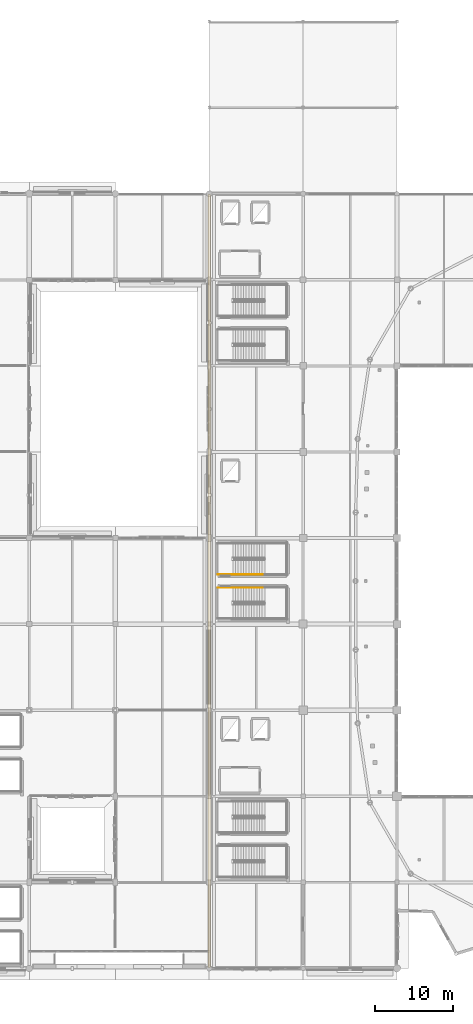
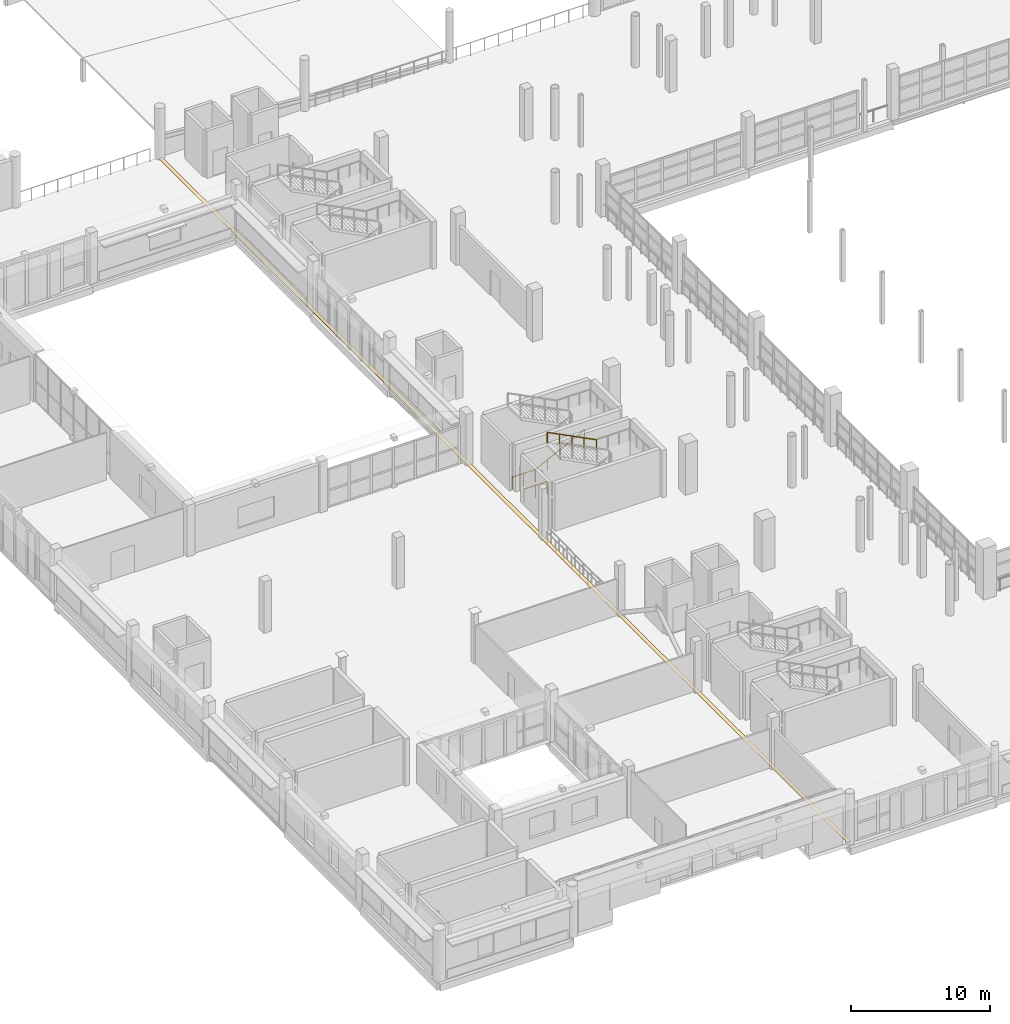
# One storey, part 101 of 118: 4 railings, 1 covering.
"""IFC4 building model written with IfcOpenShell, lengths in metres."""

from ifc_helpers import new_model, si_unit, direction, frame, origin, origin_2d, place, context, subcontext, project, spatial, rectangle, circle, extrude, material, layer, layer_set, type_object, element, save


model = new_model("IFC4")

# Units and contexts
model_context = context("Model", 3, precision=1e-05, world=origin(), true_north=direction((0.0, 1.0)))
body_context = subcontext(model_context, "Body", "Model", "MODEL_VIEW")
ifc_project = project(units=[si_unit("LENGTHUNIT", "METRE"), si_unit("AREAUNIT", "SQUARE_METRE"), si_unit("VOLUMEUNIT", "CUBIC_METRE"), si_unit("PLANEANGLEUNIT", "RADIAN"), si_unit("MASSUNIT", "GRAM", prefix="KILO")], contexts=[model_context])

# Site, building, storey
site_placement = place(None, origin())
site = spatial("IfcSite", under=ifc_project, at=site_placement, CompositionType="ELEMENT")
building_placement = place(site_placement, origin())
building = spatial("IfcBuilding", under=site, at=building_placement, Name="Luwafu Chhajja Arena", CompositionType="ELEMENT")
storey_placement = place(building_placement, frame((0.0, 0.0, 10.199951171875)))
storey = spatial("IfcBuildingStorey", under=building, at=storey_placement, Name="L02", CompositionType="ELEMENT", Elevation=10.199951171875)

# Covering
ifc_material_1 = material(Name="Red laterite sandstone cladding", Category="masonry")
ifc_layer = layer(ifc_material_1, 0.074951171875, Name="Red laterite sandstone cladding")
ifc_layer_set = layer_set([ifc_layer], Name="Red laterite sandstone cladding")
covering_type = type_object("IfcCoveringType", Name="Dressed Red-Laterite Sandstone Cladding", PredefinedType="CLADDING", material=ifc_layer_set)
covering_placement = place(storey_placement, frame((34.0, 49.5, -0.02392578125), z_axis=(0.0, 0.0, 1.0), x_axis=(1.0, 0.0, 0.0)))
element("IfcCovering", 1, at=covering_placement, inside=storey, type_object=covering_type, Name="L02 Movement Joint MJ01 Flush Threshold Cover Plate 01", PredefinedType="CLADDING", context=body_context, shape_type="SweptSolid", body=[
    extrude(rectangle(XDim=0.320068359375, YDim=98.800048828125, at=origin_2d()), origin(), (0.0, 0.0, 1.0), 0.02392578125),
])

# Railings
ifc_material_2 = material(Name="Stainless steel handrail", Category="steel")
railing_type_1 = type_object("IfcRailingType", Name="Stair Pitch Wall Handrail 920", PredefinedType="HANDRAIL", material=ifc_material_2)
railing_1_placement = place(storey_placement, frame((41.10009765625, 48.639892578125, 2.423095703125)))
element("IfcRailing", 2, at=railing_1_placement, inside=storey, type_object=railing_type_1, Name="L02 ST-09 stair handrail 2", PredefinedType="HANDRAIL", context=body_context, shape_type="SweptSolid", body=[
    extrude(circle(Radius=0.02392578125, at=origin_2d()), frame((0.0, 0.0, 0.8759765625), z_axis=(-0.891183106714, 0.0, 0.453643770274), x_axis=(0.0, -1.0, 0.0)), (0.0, 0.0, 1.0), 4.578369140625),
    extrude(circle(Radius=0.02099609375, at=origin_2d()), origin(), (0.0, 0.0, 1.0), 0.851806640625),
    extrude(circle(Radius=0.02099609375, at=origin_2d()), frame((-1.02001953125, 0.0, 0.519287109375)), (0.0, 0.0, 1.0), 0.851806640625),
    extrude(circle(Radius=0.02099609375, at=origin_2d()), frame((-2.0400390625, 0.0, 1.03857421875)), (0.0, 0.0, 1.0), 0.851806640625),
    extrude(circle(Radius=0.02099609375, at=origin_2d()), frame((-3.06005859375, 0.0, 1.5576171875)), (0.0, 0.0, 1.0), 0.851806640625),
    extrude(circle(Radius=0.02099609375, at=origin_2d()), frame((-4.080078125, 0.0, 2.076904296875)), (0.0, 0.0, 1.0), 0.851806640625),
])
railing_2_placement = place(storey_placement, frame((37.02001953125, 50.360107421875, 0.173095703125)))
element("IfcRailing", 3, at=railing_2_placement, inside=storey, type_object=railing_type_1, Name="L02 ST-10 stair handrail 1", PredefinedType="HANDRAIL", context=body_context, shape_type="SweptSolid", body=[
    extrude(circle(Radius=0.02392578125, at=origin_2d()), frame((0.0, 0.0, 0.8759765625), z_axis=(0.891183106714, 0.0, 0.453643770274), x_axis=(0.0, 1.0, 0.0)), (0.0, 0.0, 1.0), 4.578369140625),
    extrude(circle(Radius=0.02099609375, at=origin_2d()), origin(), (0.0, 0.0, 1.0), 0.851806640625),
    extrude(circle(Radius=0.02099609375, at=origin_2d()), frame((1.02001953125, 0.0, 0.519287109375)), (0.0, 0.0, 1.0), 0.851806640625),
    extrude(circle(Radius=0.02099609375, at=origin_2d()), frame((2.0400390625, 0.0, 1.03857421875)), (0.0, 0.0, 1.0), 0.851806640625),
    extrude(circle(Radius=0.02099609375, at=origin_2d()), frame((3.06005859375, 0.0, 1.5576171875)), (0.0, 0.0, 1.0), 0.851806640625),
    extrude(circle(Radius=0.02099609375, at=origin_2d()), frame((4.080078125, 0.0, 2.076904296875)), (0.0, 0.0, 1.0), 0.851806640625),
])
ifc_material_3 = material(Name="Stainless steel balustrade", Category="steel")
railing_type_2 = type_object("IfcRailingType", Name="Stair and Terrace Guard Balustrade 1100", PredefinedType="BALUSTRADE", material=ifc_material_3)
for number, where, name in (
    (4, (35.10009765625, 48.639892578125, 0.0), "L02 ST-09 stair guard 9"),
    (5, (35.10009765625, 50.360107421875, 0.0), "L02 ST-10 stair guard 8"),
):
    element("IfcRailing", number, at=place(storey_placement, frame(where)), inside=storey, type_object=railing_type_2, Name=name, PredefinedType="BALUSTRADE", context=body_context, shape_type="SweptSolid", body=[
        extrude(circle(Radius=0.02392578125, at=origin_2d()), frame((0.0, 0.0, 1.076171875), z_axis=(1.0, 0.0, 0.0), x_axis=(0.0, 1.0, 0.0)), (0.0, 0.0, 1.0), 1.919921875),
        extrude(circle(Radius=0.02099609375, at=origin_2d()), origin(), (0.0, 0.0, 1.0), 1.052001953125),
        extrude(circle(Radius=0.02099609375, at=origin_2d()), frame((0.9599609375, 0.0, 0.0)), (0.0, 0.0, 1.0), 1.052001953125),
        extrude(circle(Radius=0.02099609375, at=origin_2d()), frame((1.919921875, 0.0, 0.0)), (0.0, 0.0, 1.0), 1.052001953125),
    ])

save(model, "model.ifc")
